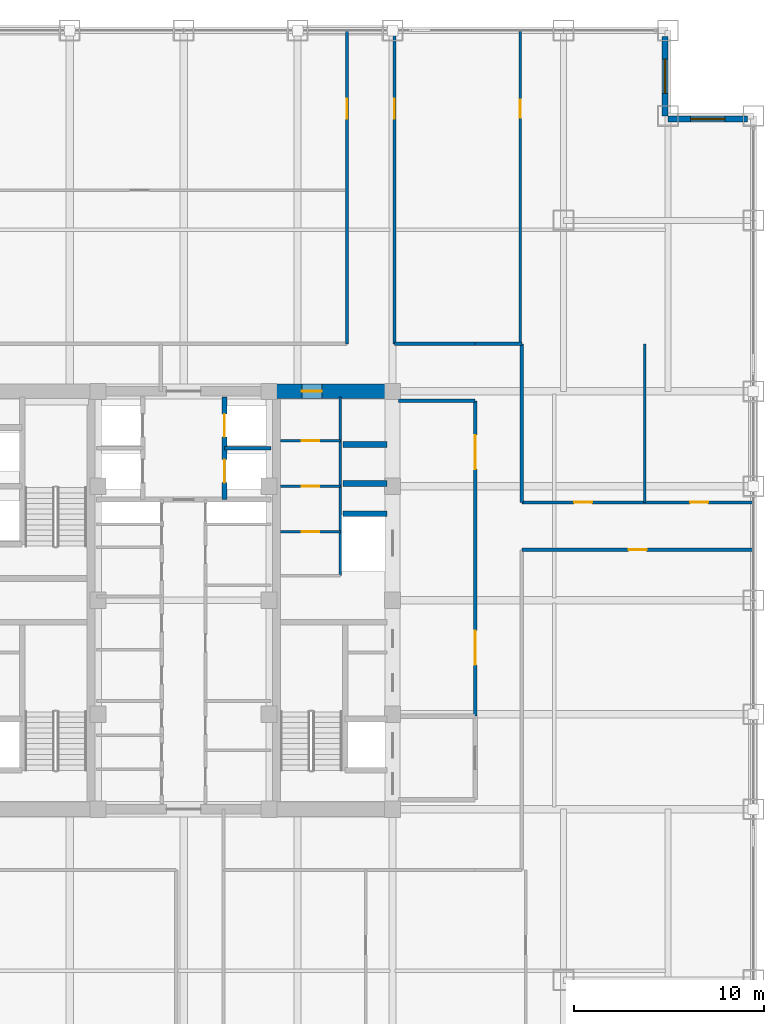
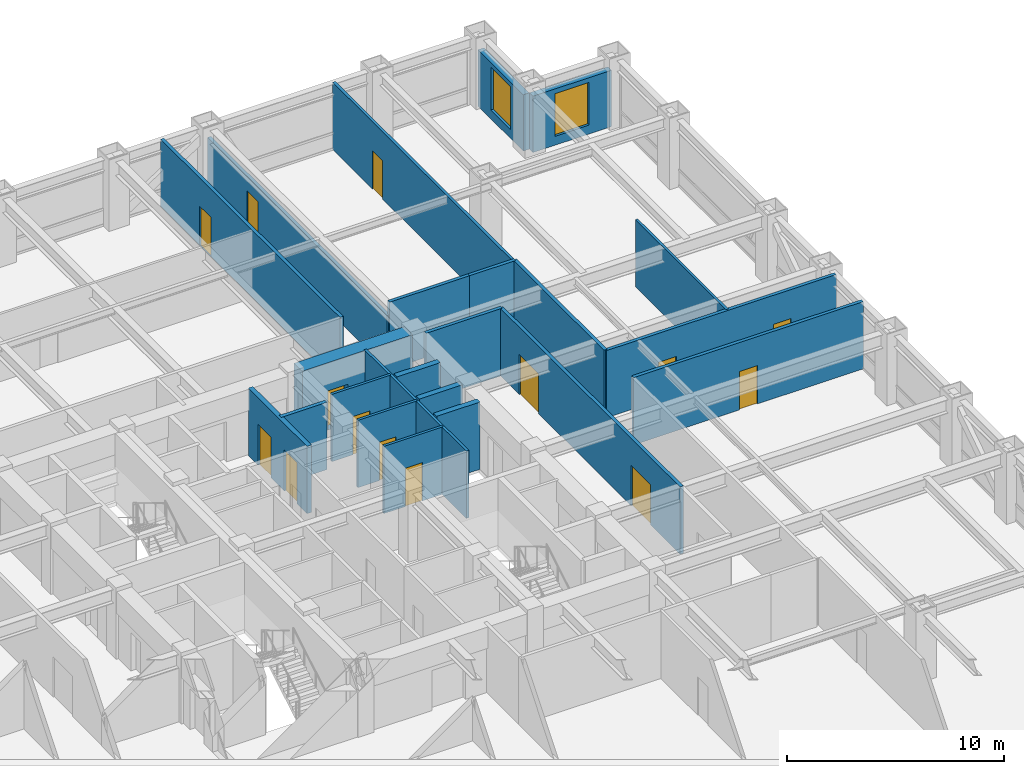
# One storey, part 23 of 25: 23 walls, 14 doors, 2 windows, 16 openings.
"""IFC4 building model written with IfcOpenShell, lengths in metres."""

from ifc_helpers import new_model, si_unit, direction, frame, frame_2d, origin, place, context, subcontext, project, spatial, rectangle, extrude, source, transform, mapped, material, layer, layer_set, type_object, element, fill, save


model = new_model("IFC4")

# Units and contexts
model_context = context("Model", 3, precision=1e-05, world=origin(), true_north=direction((0.0, 1.0)))
body_context = subcontext(model_context, "Body", "Model", "MODEL_VIEW")
ifc_project = project(units=[si_unit("LENGTHUNIT", "METRE"), si_unit("AREAUNIT", "SQUARE_METRE"), si_unit("VOLUMEUNIT", "CUBIC_METRE"), si_unit("PLANEANGLEUNIT", "RADIAN"), si_unit("MASSUNIT", "GRAM", prefix="KILO")], contexts=[model_context])

# Site, building, storey
site_placement = place(None, origin())
site = spatial("IfcSite", under=ifc_project, at=site_placement, CompositionType="ELEMENT")
building_placement = place(site_placement, origin())
building = spatial("IfcBuilding", under=site, at=building_placement, Name="Khorayat Bourse Tower", CompositionType="ELEMENT")
storey_placement = place(building_placement, frame((0.0, 0.0, 199.10009765625)))
storey = spatial("IfcBuildingStorey", under=building, at=storey_placement, Name="L46", CompositionType="ELEMENT", Elevation=199.10009765625)

# Wall, opening, door
ifc_material_1 = material(Name="Concrete C72/90", Category="concrete")
ifc_layer_1 = layer(ifc_material_1, 0.75)
ifc_layer_set_1 = layer_set([ifc_layer_1], Name="Concrete C72/90")
wall_type_1 = type_object("IfcWallType", Name="WAL-CORE-750", PredefinedType="SHEAR", material=ifc_layer_set_1)
shared_shape_1 = source(origin(), body_context, "Body", "SweptSolid", [
    extrude(rectangle(XDim=5.849853515625, YDim=0.75, at=frame_2d((2.9248046875, 0.0))), origin(), (0.0, 0.0, 1.0), 3.77978515625),
])
wall_1_placement = place(storey_placement, frame((4.85009765625, 11.0, 0.0), z_axis=(0.0, 0.0, 1.0), x_axis=(1.0, 0.0, 0.0)))
wall_1 = element("IfcWall", 1, at=wall_1_placement, inside=storey, type_object=wall_type_1, Name="L46 Core Shear Wall PIER-EN", PredefinedType="SHEAR", context=body_context, shape_type="MappedRepresentation", body=[
    mapped(shared_shape_1, transform((0.0, 0.0, 0.0), scale=1.0)),
])
shared_shape_2 = source(origin(), body_context, "Body", "SweptSolid", [
    extrude(rectangle(XDim=1.050048828125, YDim=2.199951171875, at=frame_2d((0.52490234375, 1.10009765625))), frame((0.0, 0.385009765625, 0.0), z_axis=(0.0, -1.0, 0.0), x_axis=(1.0, 0.0, 0.0)), (0.0, 0.0, 1.0), 0.77001953125),
])
opening_1_placement = place(wall_1_placement, frame((1.375, 0.0, 0.0)))
opening_1 = element("IfcOpeningElement", 2, at=opening_1_placement, cuts=wall_1, Name="Opening DI-04", PredefinedType="OPENING", context=body_context, shape_type="MappedRepresentation", body=[
    mapped(shared_shape_2, transform((0.0, 0.0, 0.0), scale=1.0)),
])
ifc_material_2 = material(Name="Fire-rated oak veneer suite entrance door")
door_type_1 = type_object("IfcDoorType", Name="DR-INT-SUITE-1050", OperationType="NOTDEFINED", PredefinedType="DOOR", material=ifc_material_2)
shared_shape_3 = source(origin(), body_context, "Body", "SweptSolid", [
    extrude(rectangle(XDim=1.050048828125, YDim=2.199951171875, at=frame_2d((0.52490234375, 1.10009765625))), frame((0.0, 0.02490234375, 0.0), z_axis=(0.0, -1.0, 0.0), x_axis=(1.0, 0.0, 0.0)), (0.0, 0.0, 1.0), 0.050048828125),
])
door_1_placement = place(opening_1_placement, origin())
door_1 = element("IfcDoor", 3, at=door_1_placement, inside=storey, type_object=door_type_1, Name="L46 Core Washroom Lobby Door", OperationType="SINGLE_SWING_LEFT", OverallHeight=2.199951171875, OverallWidth=1.050048828125, PredefinedType="DOOR", context=body_context, shape_type="MappedRepresentation", body=[
    mapped(shared_shape_3, transform((0.0, 0.0, 0.0), scale=1.0)),
])
fill(opening_1, door_1)

# Wall, opening, window
ifc_material_3 = material(Name="Precast concrete C45/55", Category="concrete")
ifc_layer_2 = layer(ifc_material_3, 0.320068359375)
ifc_layer_set_2 = layer_set([ifc_layer_2], Name="Precast concrete C45/55")
wall_type_2 = type_object("IfcWallType", Name="WAL-EXT-STONE-320", PredefinedType="STANDARD", material=ifc_layer_set_2)
shared_shape_4 = source(origin(), body_context, "Body", "SweptSolid", [
    extrude(rectangle(XDim=4.179931640625, YDim=0.320068359375, at=frame_2d((2.08984375, 0.0))), origin(), (0.0, 0.0, 1.0), 3.163818359375),
])
wall_2_placement = place(storey_placement, frame((25.5, 25.340087890625, 0.0), z_axis=(0.0, 0.0, 1.0), x_axis=(1.0, 0.0, 0.0)))
wall_2 = element("IfcWall", 4, at=wall_2_placement, inside=storey, type_object=wall_type_2, Name="L46 Re-Entrant Notch Limestone Wall NE-H", PredefinedType="STANDARD", context=body_context, shape_type="MappedRepresentation", body=[
    mapped(shared_shape_4, transform((0.0, 0.0, 0.0), scale=1.0)),
])
shared_shape_5 = source(origin(), body_context, "Body", "SweptSolid", [
    extrude(rectangle(XDim=1.800048828125, YDim=2.39990234375, at=frame_2d((0.89990234375, 1.199951171875))), frame((0.0, 0.169921875, 0.0), z_axis=(0.0, -1.0, 0.0), x_axis=(1.0, 0.0, 0.0)), (0.0, 0.0, 1.0), 0.340087890625),
])
opening_2_placement = place(wall_2_placement, frame((1.18994140625, 0.0, 0.5)))
opening_2 = element("IfcOpeningElement", 5, at=opening_2_placement, cuts=wall_2, Name="Opening WN-04", PredefinedType="OPENING", context=body_context, shape_type="MappedRepresentation", body=[
    mapped(shared_shape_5, transform((0.0, 0.0, 0.0), scale=1.0)),
])
ifc_material_4 = material(Name="Low-E acoustic laminated double glazing", Category="glass")
window_type = type_object("IfcWindowType", Name="WIN-NOTCH-1800x2400", PartitioningType="SINGLE_PANEL", PredefinedType="WINDOW", material=ifc_material_4)
shared_shape_6 = source(origin(), body_context, "Body", "SweptSolid", [
    extrude(rectangle(XDim=1.800048828125, YDim=2.39990234375, at=frame_2d((0.89990234375, 1.199951171875))), frame((0.0, 0.030029296875, 0.0), z_axis=(0.0, -1.0, 0.0), x_axis=(1.0, 0.0, 0.0)), (0.0, 0.0, 1.0), 0.06005859375),
])
window_1_placement = place(opening_2_placement, origin())
window_1 = element("IfcWindow", 6, at=window_1_placement, inside=storey, type_object=window_type, Name="L46 Facade Window 1", OverallHeight=2.39990234375, OverallWidth=1.800048828125, PartitioningType="SINGLE_PANEL", PredefinedType="WINDOW", context=body_context, shape_type="MappedRepresentation", body=[
    mapped(shared_shape_6, transform((0.0, 0.0, 0.0), scale=1.0)),
])
fill(opening_2, window_1)

wall_3_placement = place(storey_placement, frame((25.340087890625, 25.5, 0.0), z_axis=(0.0, 0.0, 1.0), x_axis=(0.0, 1.0, 0.0)))
wall_3 = element("IfcWall", 7, at=wall_3_placement, inside=storey, type_object=wall_type_2, Name="L46 Re-Entrant Notch Limestone Wall NE-V", PredefinedType="STANDARD", context=body_context, shape_type="MappedRepresentation", body=[
    mapped(shared_shape_4, transform((0.0, 0.0, 0.0), scale=1.0)),
])
opening_3_placement = place(wall_3_placement, frame((1.18994140625, 0.0, 0.5)))
opening_3 = element("IfcOpeningElement", 8, at=opening_3_placement, cuts=wall_3, Name="Opening WN-04", PredefinedType="OPENING", context=body_context, shape_type="MappedRepresentation", body=[
    mapped(shared_shape_5, transform((0.0, 0.0, 0.0), scale=1.0)),
])
window_2_placement = place(opening_3_placement, origin())
window_2 = element("IfcWindow", 9, at=window_2_placement, inside=storey, type_object=window_type, Name="L46 Facade Window 1", OverallHeight=2.39990234375, OverallWidth=1.800048828125, PartitioningType="SINGLE_PANEL", PredefinedType="WINDOW", context=body_context, shape_type="MappedRepresentation", body=[
    mapped(shared_shape_6, transform((0.0, 0.0, 0.0), scale=1.0)),
])
fill(opening_3, window_2)

# Walls
ifc_material_5 = material(Name="Concrete C50/60", Category="concrete")
ifc_layer_3 = layer(ifc_material_5, 0.300048828125)
ifc_layer_set_3 = layer_set([ifc_layer_3], Name="Concrete C50/60")
wall_type_3 = type_object("IfcWallType", Name="WAL-SHAFT-300", PredefinedType="SHEAR", material=ifc_layer_set_3)
shared_shape_7 = source(origin(), body_context, "Body", "SweptSolid", [
    extrude(rectangle(XDim=2.300048828125, YDim=0.300048828125, at=frame_2d((1.14990234375, 0.0))), origin(), (0.0, 0.0, 1.0), 3.77978515625),
])
for number, where, z_axis, x_axis, name in (
    (10, (8.39990234375, 4.550048828125, 0.0), (0.0, 0.0, 1.0), (1.0, 0.0, 0.0), "L46 Partition WAL-L46-EPIER-SVLN"),
    (11, (8.39990234375, 6.14990234375, 0.0), (0.0, 0.0, 1.0), (1.0, 0.0, 0.0), "L46 Partition WAL-L46-EPIER-H3S"),
    (12, (8.39990234375, 8.199951171875, 0.0), (0.0, 0.0, 1.0), (1.0, 0.0, 0.0), "L46 Partition WAL-L46-EPIER-H34"),
):
    element("IfcWall", number, at=place(storey_placement, frame(where, z_axis=z_axis, x_axis=x_axis)), inside=storey, type_object=wall_type_3, Name=name, PredefinedType="SHEAR", context=body_context, shape_type="MappedRepresentation", body=[
        mapped(shared_shape_7, transform((0.0, 0.0, 0.0), scale=1.0)),
    ])
ifc_material_6 = material(Name="Moisture-resistant masonry partition", Category="masonry")
ifc_layer_4 = layer(ifc_material_6, 0.139892578125)
ifc_layer_set_4 = layer_set([ifc_layer_4], Name="Moisture-resistant masonry partition")
wall_type_4 = type_object("IfcWallType", Name="WAL-PART-WET-140", PredefinedType="PARTITIONING", material=ifc_layer_set_4)
shared_shape_8 = source(origin(), body_context, "Body", "SweptSolid", [
    extrude(rectangle(XDim=9.39990234375, YDim=0.139892578125, at=frame_2d((4.699951171875, 0.0))), origin(), (0.0, 0.0, 1.0), 3.77978515625),
])
wall_4_placement = place(storey_placement, frame((8.25, 1.300048828125, 0.0), z_axis=(0.0, 0.0, 1.0), x_axis=(0.0, 1.0, 0.0)))
element("IfcWall", 13, at=wall_4_placement, inside=storey, type_object=wall_type_4, Name="L46 Partition WAL-L46-ECORE-E", PredefinedType="PARTITIONING", context=body_context, shape_type="MappedRepresentation", body=[
    mapped(shared_shape_8, transform((0.0, 0.0, 0.0), scale=1.0)),
])

# Wall, opening, door
shared_shape_9 = source(origin(), body_context, "Body", "SweptSolid", [
    extrude(rectangle(XDim=3.14990234375, YDim=0.139892578125, at=frame_2d((1.574951171875, 0.0))), origin(), (0.0, 0.0, 1.0), 3.77978515625),
])
wall_5_placement = place(storey_placement, frame((5.10009765625, 8.39990234375, 0.0), z_axis=(0.0, 0.0, 1.0), x_axis=(1.0, 0.0, 0.0)))
wall_5 = element("IfcWall", 14, at=wall_5_placement, inside=storey, type_object=wall_type_4, Name="L46 Partition WAL-L46-ECW-TOP", PredefinedType="PARTITIONING", context=body_context, shape_type="MappedRepresentation", body=[
    mapped(shared_shape_9, transform((0.0, 0.0, 0.0), scale=1.0)),
])
shared_shape_10 = source(origin(), body_context, "Body", "SweptSolid", [
    extrude(rectangle(XDim=0.89990234375, YDim=2.14990234375, at=frame_2d((0.449951171875, 1.074951171875))), frame((0.0, 0.079833984375, 0.0), z_axis=(0.0, -1.0, 0.0), x_axis=(1.0, 0.0, 0.0)), (0.0, 0.0, 1.0), 0.159912109375),
])
opening_4_placement = place(wall_5_placement, frame((1.1298828125, 0.0, 0.0)))
opening_4 = element("IfcOpeningElement", 15, at=opening_4_placement, cuts=wall_5, Name="Opening DI-06", PredefinedType="OPENING", context=body_context, shape_type="MappedRepresentation", body=[
    mapped(shared_shape_10, transform((0.0, 0.0, 0.0), scale=1.0)),
])
ifc_material_7 = material(Name="Moisture-resistant laminate washroom door")
door_type_2 = type_object("IfcDoorType", Name="DR-INT-WC-900", OperationType="NOTDEFINED", PredefinedType="DOOR", material=ifc_material_7)
shared_shape_11 = source(origin(), body_context, "Body", "SweptSolid", [
    extrude(rectangle(XDim=0.89990234375, YDim=2.14990234375, at=frame_2d((0.449951171875, 1.074951171875))), frame((0.0, 0.02490234375, 0.0), z_axis=(0.0, -1.0, 0.0), x_axis=(1.0, 0.0, 0.0)), (0.0, 0.0, 1.0), 0.050048828125),
])
door_2_placement = place(opening_4_placement, origin())
door_2 = element("IfcDoor", 16, at=door_2_placement, inside=storey, type_object=door_type_2, Name="L46 Accessible WC Door", OperationType="SINGLE_SWING_LEFT", OverallHeight=2.14990234375, OverallWidth=0.89990234375, PredefinedType="DOOR", context=body_context, shape_type="MappedRepresentation", body=[
    mapped(shared_shape_11, transform((0.0, 0.0, 0.0), scale=1.0)),
])
fill(opening_4, door_2)

wall_6_placement = place(storey_placement, frame((5.10009765625, 6.0, 0.0), z_axis=(0.0, 0.0, 1.0), x_axis=(1.0, 0.0, 0.0)))
wall_6 = element("IfcWall", 17, at=wall_6_placement, inside=storey, type_object=wall_type_4, Name="L46 Partition WAL-L46-ECW-H1", PredefinedType="PARTITIONING", context=body_context, shape_type="MappedRepresentation", body=[
    mapped(shared_shape_9, transform((0.0, 0.0, 0.0), scale=1.0)),
])
opening_5_placement = place(wall_6_placement, frame((1.1298828125, 0.0, 0.0)))
opening_5 = element("IfcOpeningElement", 18, at=opening_5_placement, cuts=wall_6, Name="Opening DI-06", PredefinedType="OPENING", context=body_context, shape_type="MappedRepresentation", body=[
    mapped(shared_shape_10, transform((0.0, 0.0, 0.0), scale=1.0)),
])
door_3_placement = place(opening_5_placement, origin())
door_3 = element("IfcDoor", 19, at=door_3_placement, inside=storey, type_object=door_type_2, Name="L46 Shared Washroom Door", OperationType="SINGLE_SWING_RIGHT", OverallHeight=2.14990234375, OverallWidth=0.89990234375, PredefinedType="DOOR", context=body_context, shape_type="MappedRepresentation", body=[
    mapped(shared_shape_11, transform((0.0, 0.0, 0.0), scale=1.0)),
])
fill(opening_5, door_3)

wall_7_placement = place(storey_placement, frame((5.10009765625, 3.60009765625, 0.0), z_axis=(0.0, 0.0, 1.0), x_axis=(1.0, 0.0, 0.0)))
wall_7 = element("IfcWall", 20, at=wall_7_placement, inside=storey, type_object=wall_type_4, Name="L46 Partition WAL-L46-ECW-H2", PredefinedType="PARTITIONING", context=body_context, shape_type="MappedRepresentation", body=[
    mapped(shared_shape_9, transform((0.0, 0.0, 0.0), scale=1.0)),
])
opening_6_placement = place(wall_7_placement, frame((1.1298828125, 0.0, 0.0)))
opening_6 = element("IfcOpeningElement", 21, at=opening_6_placement, cuts=wall_7, Name="Opening DI-06", PredefinedType="OPENING", context=body_context, shape_type="MappedRepresentation", body=[
    mapped(shared_shape_10, transform((0.0, 0.0, 0.0), scale=1.0)),
])
door_4_placement = place(opening_6_placement, origin())
door_4 = element("IfcDoor", 22, at=door_4_placement, inside=storey, type_object=door_type_2, Name="L46 Staff Washroom Door", OperationType="SINGLE_SWING_LEFT", OverallHeight=2.14990234375, OverallWidth=0.89990234375, PredefinedType="DOOR", context=body_context, shape_type="MappedRepresentation", body=[
    mapped(shared_shape_11, transform((0.0, 0.0, 0.0), scale=1.0)),
])
fill(opening_6, door_4)

# Wall
ifc_material_8 = material(Name="Gypsum plasterboard acoustic stud wall")
ifc_layer_5 = layer(ifc_material_8, 0.179931640625)
ifc_layer_set_5 = layer_set([ifc_layer_5], Name="Gypsum plasterboard acoustic stud wall")
wall_type_5 = type_object("IfcWallType", Name="WAL-PART-CORR-180", PredefinedType="PARTITIONING", material=ifc_layer_set_5)
shared_shape_12 = source(origin(), body_context, "Body", "SweptSolid", [
    extrude(rectangle(XDim=4.050048828125, YDim=0.179931640625, at=frame_2d((2.02490234375, 0.0))), origin(), (0.0, 0.0, 1.0), 3.77978515625),
])
wall_8_placement = place(storey_placement, frame((11.300048828125, 10.5, 0.0), z_axis=(0.0, 0.0, 1.0), x_axis=(1.0, 0.0, 0.0)))
element("IfcWall", 23, at=wall_8_placement, inside=storey, type_object=wall_type_5, Name="L46 Partition WAL-L46-ELOB-N", PredefinedType="PARTITIONING", context=body_context, shape_type="MappedRepresentation", body=[
    mapped(shared_shape_12, transform((0.0, 0.0, 0.0), scale=1.0)),
])

# Wall, openings, doors
shared_shape_13 = source(origin(), body_context, "Body", "SweptSolid", [
    extrude(rectangle(XDim=16.60009765625, YDim=0.179931640625, at=frame_2d((8.300048828125, 0.0))), origin(), (0.0, 0.0, 1.0), 3.77978515625),
])
wall_9_placement = place(storey_placement, frame((15.35009765625, -6.10009765625, 0.0), z_axis=(0.0, 0.0, 1.0), x_axis=(0.0, 1.0, 0.0)))
wall_9 = element("IfcWall", 24, at=wall_9_placement, inside=storey, type_object=wall_type_5, Name="L46 Partition WAL-L46-ELOB-E", PredefinedType="PARTITIONING", context=body_context, shape_type="MappedRepresentation", body=[
    mapped(shared_shape_13, transform((0.0, 0.0, 0.0), scale=1.0)),
])
shared_shape_14 = source(origin(), body_context, "Body", "SweptSolid", [
    extrude(rectangle(XDim=1.800048828125, YDim=2.25, at=frame_2d((0.89990234375, 1.125))), frame((0.0, 0.099853515625, 0.0), z_axis=(0.0, -1.0, 0.0), x_axis=(1.0, 0.0, 0.0)), (0.0, 0.0, 1.0), 0.199951171875),
])
opening_7_placement = place(wall_9_placement, frame((2.699951171875, 0.0, 0.0)))
opening_7 = element("IfcOpeningElement", 25, at=opening_7_placement, cuts=wall_9, Name="Opening DI-03", PredefinedType="OPENING", context=body_context, shape_type="MappedRepresentation", body=[
    mapped(shared_shape_14, transform((0.0, 0.0, 0.0), scale=1.0)),
])
opening_8_placement = place(wall_9_placement, frame((13.0, 0.0, 0.0)))
opening_8 = element("IfcOpeningElement", 26, at=opening_8_placement, cuts=wall_9, Name="Opening DI-03", PredefinedType="OPENING", context=body_context, shape_type="MappedRepresentation", body=[
    mapped(shared_shape_14, transform((0.0, 0.0, 0.0), scale=1.0)),
])
ifc_material_9 = material(Name="Fire-rated hardwood vision-panel double leaf", Category="wood")
door_type_3 = type_object("IfcDoorType", Name="DR-INT-CORR-1800", OperationType="NOTDEFINED", PredefinedType="DOOR", material=ifc_material_9)
shared_shape_15 = source(origin(), body_context, "Body", "SweptSolid", [
    extrude(rectangle(XDim=1.800048828125, YDim=2.25, at=frame_2d((0.89990234375, 1.125))), frame((0.0, 0.02490234375, 0.0), z_axis=(0.0, -1.0, 0.0), x_axis=(1.0, 0.0, 0.0)), (0.0, 0.0, 1.0), 0.050048828125),
])
door_5_placement = place(opening_7_placement, origin())
door_5 = element("IfcDoor", 27, at=door_5_placement, inside=storey, type_object=door_type_3, Name="L46 East Core Lobby South Door", OperationType="SINGLE_SWING_RIGHT", OverallHeight=2.25, OverallWidth=1.800048828125, PredefinedType="DOOR", context=body_context, shape_type="MappedRepresentation", body=[
    mapped(shared_shape_15, transform((0.0, 0.0, 0.0), scale=1.0)),
])
fill(opening_7, door_5)
door_6_placement = place(opening_8_placement, origin())
door_6 = element("IfcDoor", 28, at=door_6_placement, inside=storey, type_object=door_type_3, Name="L46 East Core Lobby North Door", OperationType="SINGLE_SWING_LEFT", OverallHeight=2.25, OverallWidth=1.800048828125, PredefinedType="DOOR", context=body_context, shape_type="MappedRepresentation", body=[
    mapped(shared_shape_15, transform((0.0, 0.0, 0.0), scale=1.0)),
])
fill(opening_8, door_6)

shared_shape_16 = source(origin(), body_context, "Body", "SweptSolid", [
    extrude(rectangle(XDim=5.39990234375, YDim=0.25, at=frame_2d((2.699951171875, 0.0))), origin(), (0.0, 0.0, 1.0), 3.77978515625),
])
wall_10_placement = place(storey_placement, frame((2.14990234375, 5.300048828125, 0.0), z_axis=(0.0, 0.0, 1.0), x_axis=(0.0, 1.0, 0.0)))
wall_10 = element("IfcWall", 29, at=wall_10_placement, inside=storey, type_object=wall_type_3, Name="L46 Partition WAL-L46-B2-E", PredefinedType="SHEAR", context=body_context, shape_type="MappedRepresentation", body=[
    mapped(shared_shape_16, transform((0.0, 0.0, 0.0), scale=1.0)),
])
shared_shape_17 = source(origin(), body_context, "Body", "SweptSolid", [
    extrude(rectangle(XDim=1.199951171875, YDim=2.300048828125, at=frame_2d((0.60009765625, 1.14990234375))), frame((0.0, 0.135009765625, 0.0), z_axis=(0.0, -1.0, 0.0), x_axis=(1.0, 0.0, 0.0)), (0.0, 0.0, 1.0), 0.27001953125),
])
opening_9_placement = place(wall_10_placement, frame((3.300048828125, 0.0, 0.0)))
opening_9 = element("IfcOpeningElement", 30, at=opening_9_placement, cuts=wall_10, Name="Opening LD-01", PredefinedType="OPENING", context=body_context, shape_type="MappedRepresentation", body=[
    mapped(shared_shape_17, transform((0.0, 0.0, 0.0), scale=1.0)),
])
opening_10_placement = place(wall_10_placement, frame((0.89990234375, 0.0, 0.0)))
opening_10 = element("IfcOpeningElement", 31, at=opening_10_placement, cuts=wall_10, Name="Opening LD-01", PredefinedType="OPENING", context=body_context, shape_type="MappedRepresentation", body=[
    mapped(shared_shape_17, transform((0.0, 0.0, 0.0), scale=1.0)),
])
ifc_material_10 = material(Name="Brushed bronze stainless-steel sliding door", Category="steel")
door_type_4 = type_object("IfcDoorType", Name="DR-LIFT-PASS-1200", OperationType="NOTDEFINED", PredefinedType="DOOR", material=ifc_material_10)
shared_shape_18 = source(origin(), body_context, "Body", "SweptSolid", [
    extrude(rectangle(XDim=1.199951171875, YDim=2.300048828125, at=frame_2d((0.60009765625, 1.14990234375))), frame((0.0, 0.02490234375, 0.0), z_axis=(0.0, -1.0, 0.0), x_axis=(1.0, 0.0, 0.0)), (0.0, 0.0, 1.0), 0.050048828125),
])
door_7_placement = place(opening_9_placement, origin())
door_7 = element("IfcDoor", 32, at=door_7_placement, inside=storey, type_object=door_type_4, Name="L46 Lift PL-M2 Sliding Landing Door", OperationType="SLIDING_TO_LEFT", OverallHeight=2.300048828125, OverallWidth=1.199951171875, PredefinedType="DOOR", context=body_context, shape_type="MappedRepresentation", body=[
    mapped(shared_shape_18, transform((0.0, 0.0, 0.0), scale=1.0)),
])
fill(opening_9, door_7)
door_8_placement = place(opening_10_placement, origin())
door_8 = element("IfcDoor", 33, at=door_8_placement, inside=storey, type_object=door_type_4, Name="L46 Lift PL-M4 Sliding Landing Door", OperationType="SLIDING_TO_LEFT", OverallHeight=2.300048828125, OverallWidth=1.199951171875, PredefinedType="DOOR", context=body_context, shape_type="MappedRepresentation", body=[
    mapped(shared_shape_18, transform((0.0, 0.0, 0.0), scale=1.0)),
])
fill(opening_10, door_8)

# Walls
shared_shape_19 = source(origin(), body_context, "Body", "SweptSolid", [
    extrude(rectangle(XDim=2.4501953125, YDim=0.199951171875, at=frame_2d((1.22509765625, 0.0))), origin(), (0.0, 0.0, 1.0), 3.77978515625),
])
wall_11_placement = place(storey_placement, frame((2.14990234375, 8.0, 0.0), z_axis=(0.0, 0.0, 1.0), x_axis=(1.0, 0.0, 0.0)))
element("IfcWall", 34, at=wall_11_placement, inside=storey, type_object=wall_type_3, Name="L46 Partition WAL-L46-B2-ME", PredefinedType="SHEAR", context=body_context, shape_type="MappedRepresentation", body=[
    mapped(shared_shape_19, transform((0.0, 0.0, 0.0), scale=1.0)),
])
shared_shape_20 = source(origin(), body_context, "Body", "SweptSolid", [
    extrude(rectangle(XDim=2.449951171875, YDim=0.179931640625, at=frame_2d((1.22509765625, 0.0))), origin(), (0.0, 0.0, 1.0), 3.77978515625),
])
wall_12_placement = place(storey_placement, frame((15.35009765625, 13.5, 0.0), z_axis=(0.0, 0.0, 1.0), x_axis=(1.0, 0.0, 0.0)))
element("IfcWall", 35, at=wall_12_placement, inside=storey, type_object=wall_type_5, Name="L46 Partition WAL-L46-C2-EN", PredefinedType="PARTITIONING", context=body_context, shape_type="MappedRepresentation", body=[
    mapped(shared_shape_20, transform((0.0, 0.0, 0.0), scale=1.0)),
])

# Wall, opening, door
shared_shape_21 = source(origin(), body_context, "Body", "SweptSolid", [
    extrude(rectangle(XDim=16.5, YDim=0.179931640625, at=frame_2d((8.25, 0.0))), origin(), (0.0, 0.0, 1.0), 3.77978515625),
])
wall_13_placement = place(storey_placement, frame((8.60009765625, 13.5, 0.0), z_axis=(0.0, 0.0, 1.0), x_axis=(0.0, 1.0, 0.0)))
wall_13 = element("IfcWall", 36, at=wall_13_placement, inside=storey, type_object=wall_type_5, Name="L46 Partition WAL-L46-QNW-SPK", PredefinedType="PARTITIONING", context=body_context, shape_type="MappedRepresentation", body=[
    mapped(shared_shape_21, transform((0.0, 0.0, 0.0), scale=1.0)),
])
shared_shape_22 = source(origin(), body_context, "Body", "SweptSolid", [
    extrude(rectangle(XDim=1.050048828125, YDim=2.199951171875, at=frame_2d((0.52490234375, 1.10009765625))), frame((0.0, 0.099853515625, 0.0), z_axis=(0.0, -1.0, 0.0), x_axis=(1.0, 0.0, 0.0)), (0.0, 0.0, 1.0), 0.199951171875),
])
opening_11_placement = place(wall_13_placement, frame((11.85009765625, 0.0, 0.0)))
opening_11 = element("IfcOpeningElement", 37, at=opening_11_placement, cuts=wall_13, Name="Opening DI-04", PredefinedType="OPENING", context=body_context, shape_type="MappedRepresentation", body=[
    mapped(shared_shape_22, transform((0.0, 0.0, 0.0), scale=1.0)),
])
door_9_placement = place(opening_11_placement, origin())
door_9 = element("IfcDoor", 38, at=door_9_placement, inside=storey, type_object=door_type_1, Name="L46 North-West Radial Spoke Entry", OperationType="SINGLE_SWING_LEFT", OverallHeight=2.199951171875, OverallWidth=1.050048828125, PredefinedType="DOOR", context=body_context, shape_type="MappedRepresentation", body=[
    mapped(shared_shape_3, transform((0.0, 0.0, 0.0), scale=1.0)),
])
fill(opening_11, door_9)

ifc_material_11 = material(Name="Gypsum plasterboard twin-frame partition")
ifc_layer_6 = layer(ifc_material_11, 0.14990234375)
ifc_layer_set_6 = layer_set([ifc_layer_6], Name="Gypsum plasterboard twin-frame partition")
wall_type_6 = type_object("IfcWallType", Name="WAL-PART-SUITE-150", PredefinedType="PARTITIONING", material=ifc_layer_set_6)
shared_shape_23 = source(origin(), body_context, "Body", "SweptSolid", [
    extrude(rectangle(XDim=16.5, YDim=0.14990234375, at=frame_2d((8.25, 0.0))), origin(), (0.0, 0.0, 1.0), 3.77978515625),
])
wall_14_placement = place(storey_placement, frame((17.72412109375, 13.5, 0.0), z_axis=(0.0, 0.0, 1.0), x_axis=(0.0, 1.0, 0.0)))
wall_14 = element("IfcWall", 39, at=wall_14_placement, inside=storey, type_object=wall_type_6, Name="L46 Partition WAL-L46-QNEDV-1", PredefinedType="PARTITIONING", context=body_context, shape_type="MappedRepresentation", body=[
    mapped(shared_shape_23, transform((0.0, 0.0, 0.0), scale=1.0)),
])
shared_shape_24 = source(origin(), body_context, "Body", "SweptSolid", [
    extrude(rectangle(XDim=0.949951171875, YDim=2.14990234375, at=frame_2d((0.47509765625, 1.074951171875))), frame((0.0, 0.0849609375, 0.0), z_axis=(0.0, -1.0, 0.0), x_axis=(1.0, 0.0, 0.0)), (0.0, 0.0, 1.0), 0.169921875),
])
opening_12_placement = place(wall_14_placement, frame((11.89990234375, 0.0, 0.0)))
opening_12 = element("IfcOpeningElement", 40, at=opening_12_placement, cuts=wall_14, Name="Opening DI-05", PredefinedType="OPENING", context=body_context, shape_type="MappedRepresentation", body=[
    mapped(shared_shape_24, transform((0.0, 0.0, 0.0), scale=1.0)),
])
ifc_material_12 = material(Name="Acoustic oak veneer office door")
door_type_5 = type_object("IfcDoorType", Name="DR-INT-OFFICE-950", OperationType="NOTDEFINED", PredefinedType="DOOR", material=ifc_material_12)
shared_shape_25 = source(origin(), body_context, "Body", "SweptSolid", [
    extrude(rectangle(XDim=0.949951171875, YDim=2.14990234375, at=frame_2d((0.47509765625, 1.074951171875))), frame((0.0, 0.02490234375, 0.0), z_axis=(0.0, -1.0, 0.0), x_axis=(1.0, 0.0, 0.0)), (0.0, 0.0, 1.0), 0.050048828125),
])
door_10_placement = place(opening_12_placement, origin())
door_10 = element("IfcDoor", 41, at=door_10_placement, inside=storey, type_object=door_type_5, Name="L46 North-East Suite Link 1", OperationType="SINGLE_SWING_RIGHT", OverallHeight=2.14990234375, OverallWidth=0.949951171875, PredefinedType="DOOR", context=body_context, shape_type="MappedRepresentation", body=[
    mapped(shared_shape_25, transform((0.0, 0.0, 0.0), scale=1.0)),
])
fill(opening_12, door_10)

shared_shape_26 = source(origin(), body_context, "Body", "SweptSolid", [
    extrude(rectangle(XDim=12.199951171875, YDim=0.179931640625, at=frame_2d((6.10009765625, 0.0))), origin(), (0.0, 0.0, 1.0), 3.77978515625),
])
wall_15_placement = place(storey_placement, frame((17.800048828125, 2.64990234375, 0.0), z_axis=(0.0, 0.0, 1.0), x_axis=(1.0, 0.0, 0.0)))
wall_15 = element("IfcWall", 42, at=wall_15_placement, inside=storey, type_object=wall_type_5, Name="L46 Partition WAL-L46-ES-SPK", PredefinedType="PARTITIONING", context=body_context, shape_type="MappedRepresentation", body=[
    mapped(shared_shape_26, transform((0.0, 0.0, 0.0), scale=1.0)),
])
shared_shape_27 = source(origin(), body_context, "Body", "SweptSolid", [
    extrude(rectangle(XDim=0.949951171875, YDim=2.14990234375, at=frame_2d((0.47509765625, 1.074951171875))), frame((0.0, 0.099853515625, 0.0), z_axis=(0.0, -1.0, 0.0), x_axis=(1.0, 0.0, 0.0)), (0.0, 0.0, 1.0), 0.199951171875),
])
opening_13_placement = place(wall_15_placement, frame((5.625, 0.0, 0.0)))
opening_13 = element("IfcOpeningElement", 43, at=opening_13_placement, cuts=wall_15, Name="Opening DI-05", PredefinedType="OPENING", context=body_context, shape_type="MappedRepresentation", body=[
    mapped(shared_shape_27, transform((0.0, 0.0, 0.0), scale=1.0)),
])
door_11_placement = place(opening_13_placement, origin())
door_11 = element("IfcDoor", 44, at=door_11_placement, inside=storey, type_object=door_type_5, Name="L46 Clearing Operations Office ES Door", OperationType="SINGLE_SWING_LEFT", OverallHeight=2.14990234375, OverallWidth=0.949951171875, PredefinedType="DOOR", context=body_context, shape_type="MappedRepresentation", body=[
    mapped(shared_shape_25, transform((0.0, 0.0, 0.0), scale=1.0)),
])
fill(opening_13, door_11)

# Wall, openings, doors
wall_16_placement = place(storey_placement, frame((17.800048828125, 5.14990234375, 0.0), z_axis=(0.0, 0.0, 1.0), x_axis=(1.0, 0.0, 0.0)))
wall_16 = element("IfcWall", 45, at=wall_16_placement, inside=storey, type_object=wall_type_5, Name="L46 Partition WAL-L46-EN-SPK", PredefinedType="PARTITIONING", context=body_context, shape_type="MappedRepresentation", body=[
    mapped(shared_shape_26, transform((0.0, 0.0, 0.0), scale=1.0)),
])
opening_14_placement = place(wall_16_placement, frame((2.758056640625, 0.0, 0.0)))
opening_14 = element("IfcOpeningElement", 46, at=opening_14_placement, cuts=wall_16, Name="Opening DI-05", PredefinedType="OPENING", context=body_context, shape_type="MappedRepresentation", body=[
    mapped(shared_shape_27, transform((0.0, 0.0, 0.0), scale=1.0)),
])
opening_15_placement = place(wall_16_placement, frame((8.85791015625, 0.0, 0.0)))
opening_15 = element("IfcOpeningElement", 47, at=opening_15_placement, cuts=wall_16, Name="Opening DI-05", PredefinedType="OPENING", context=body_context, shape_type="MappedRepresentation", body=[
    mapped(shared_shape_27, transform((0.0, 0.0, 0.0), scale=1.0)),
])
door_12_placement = place(opening_14_placement, origin())
door_12 = element("IfcDoor", 48, at=door_12_placement, inside=storey, type_object=door_type_5, Name="L46 Market Risk Analytics Workspace ENA Door", OperationType="SINGLE_SWING_LEFT", OverallHeight=2.14990234375, OverallWidth=0.949951171875, PredefinedType="DOOR", context=body_context, shape_type="MappedRepresentation", body=[
    mapped(shared_shape_25, transform((0.0, 0.0, 0.0), scale=1.0)),
])
fill(opening_14, door_12)
door_13_placement = place(opening_15_placement, origin())
door_13 = element("IfcDoor", 49, at=door_13_placement, inside=storey, type_object=door_type_5, Name="L46 Equities Trading Desk ENB Door", OperationType="SINGLE_SWING_RIGHT", OverallHeight=2.14990234375, OverallWidth=0.949951171875, PredefinedType="DOOR", context=body_context, shape_type="MappedRepresentation", body=[
    mapped(shared_shape_25, transform((0.0, 0.0, 0.0), scale=1.0)),
])
fill(opening_15, door_13)

# Wall, opening, door
shared_shape_28 = source(origin(), body_context, "Body", "SweptSolid", [
    extrude(rectangle(XDim=16.5, YDim=0.179931640625, at=frame_2d((8.25, 0.0))), origin(), (0.0, 0.0, 1.0), 3.0068359375),
])
wall_17_placement = place(storey_placement, frame((11.10009765625, 13.5, 0.0), z_axis=(0.0, 0.0, 1.0), x_axis=(0.0, 1.0, 0.0)))
wall_17 = element("IfcWall", 50, at=wall_17_placement, inside=storey, type_object=wall_type_5, Name="L46 Partition WAL-L46-QNE-SPK", PredefinedType="PARTITIONING", context=body_context, shape_type="MappedRepresentation", body=[
    mapped(shared_shape_28, transform((0.0, 0.0, 0.0), scale=1.0)),
])
opening_16_placement = place(wall_17_placement, frame((11.85009765625, 0.0, 0.0)))
opening_16 = element("IfcOpeningElement", 51, at=opening_16_placement, cuts=wall_17, Name="Opening DI-04", PredefinedType="OPENING", context=body_context, shape_type="MappedRepresentation", body=[
    mapped(shared_shape_22, transform((0.0, 0.0, 0.0), scale=1.0)),
])
door_14_placement = place(opening_16_placement, origin())
door_14 = element("IfcDoor", 52, at=door_14_placement, inside=storey, type_object=door_type_1, Name="L46 North-East Radial Spoke Entry", OperationType="SINGLE_SWING_LEFT", OverallHeight=2.199951171875, OverallWidth=1.050048828125, PredefinedType="DOOR", context=body_context, shape_type="MappedRepresentation", body=[
    mapped(shared_shape_3, transform((0.0, 0.0, 0.0), scale=1.0)),
])
fill(opening_16, door_14)

# Walls
shared_shape_29 = source(origin(), body_context, "Body", "SweptSolid", [
    extrude(rectangle(XDim=4.25, YDim=0.179931640625, at=frame_2d((2.125, 0.0))), origin(), (0.0, 0.0, 1.0), 3.77978515625),
])
wall_18_placement = place(storey_placement, frame((11.10009765625, 13.5, 0.0), z_axis=(0.0, 0.0, 1.0), x_axis=(1.0, 0.0, 0.0)))
element("IfcWall", 53, at=wall_18_placement, inside=storey, type_object=wall_type_5, Name="L46 Partition WAL-L46-QNE-HC", PredefinedType="PARTITIONING", context=body_context, shape_type="MappedRepresentation", body=[
    mapped(shared_shape_29, transform((0.0, 0.0, 0.0), scale=1.0)),
])
ifc_material_13 = material(Name="Gypsum plasterboard partition")
ifc_layer_7 = layer(ifc_material_13, 0.125)
ifc_layer_set_7 = layer_set([ifc_layer_7], Name="Gypsum plasterboard partition")
wall_type_7 = type_object("IfcWallType", Name="WAL-PART-ROOM-125", PredefinedType="PARTITIONING", material=ifc_layer_set_7)
shared_shape_30 = source(origin(), body_context, "Body", "SweptSolid", [
    extrude(rectangle(XDim=8.35009765625, YDim=0.125, at=frame_2d((4.175048828125, 0.0))), origin(), (0.0, 0.0, 1.0), 3.77978515625),
])
wall_19_placement = place(storey_placement, frame((24.26611328125, 5.14990234375, 0.0), z_axis=(0.0, 0.0, 1.0), x_axis=(0.0, 1.0, 0.0)))
element("IfcWall", 54, at=wall_19_placement, inside=storey, type_object=wall_type_7, Name="L46 Partition WAL-L46-EN-DV", PredefinedType="PARTITIONING", context=body_context, shape_type="MappedRepresentation", body=[
    mapped(shared_shape_30, transform((0.0, 0.0, 0.0), scale=1.0)),
])
shared_shape_31 = source(origin(), body_context, "Body", "SweptSolid", [
    extrude(rectangle(XDim=8.35009765625, YDim=0.179931640625, at=frame_2d((4.175048828125, 0.0))), origin(), (0.0, 0.0, 1.0), 3.77978515625),
])
wall_20_placement = place(storey_placement, frame((17.800048828125, 5.14990234375, 0.0), z_axis=(0.0, 0.0, 1.0), x_axis=(0.0, 1.0, 0.0)))
element("IfcWall", 55, at=wall_20_placement, inside=storey, type_object=wall_type_5, Name="L46 Partition WAL-L46-EN-IN", PredefinedType="PARTITIONING", context=body_context, shape_type="MappedRepresentation", body=[
    mapped(shared_shape_31, transform((0.0, 0.0, 0.0), scale=1.0)),
])

save(model, "model.ifc")
